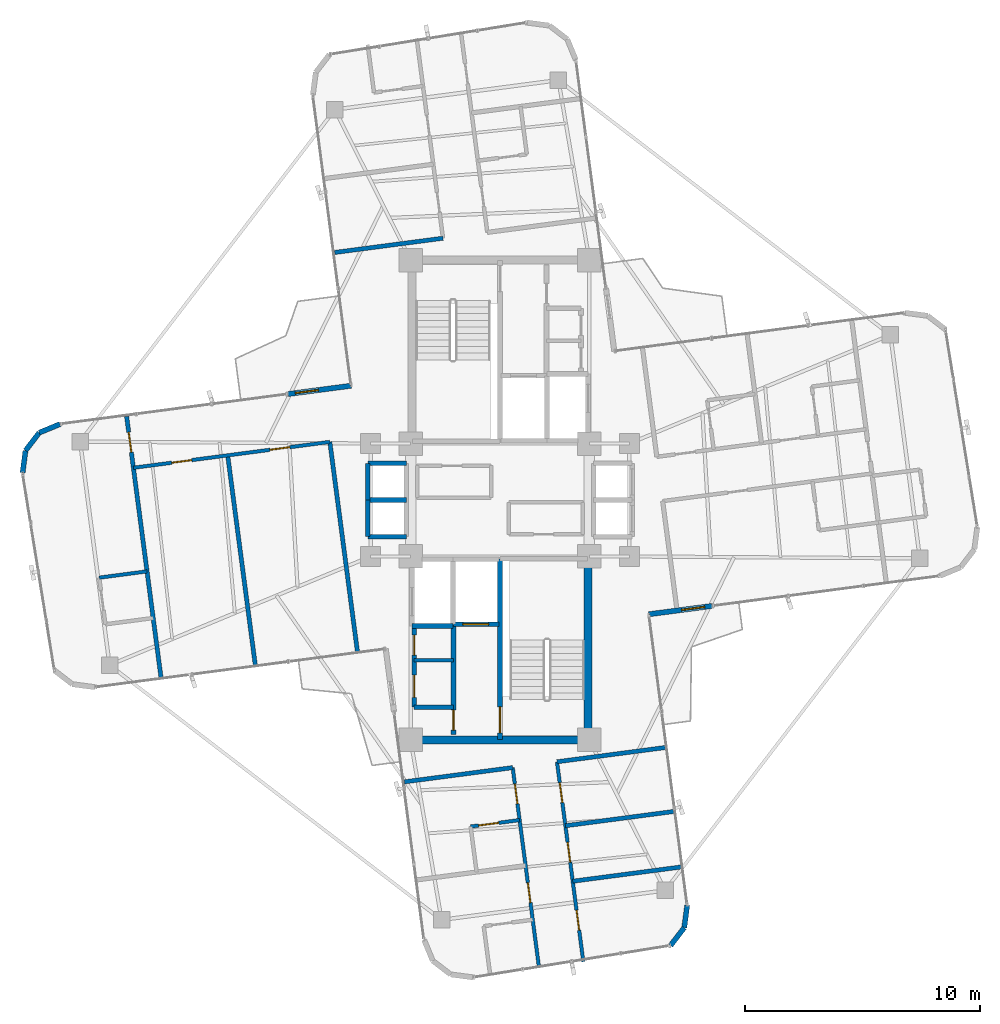
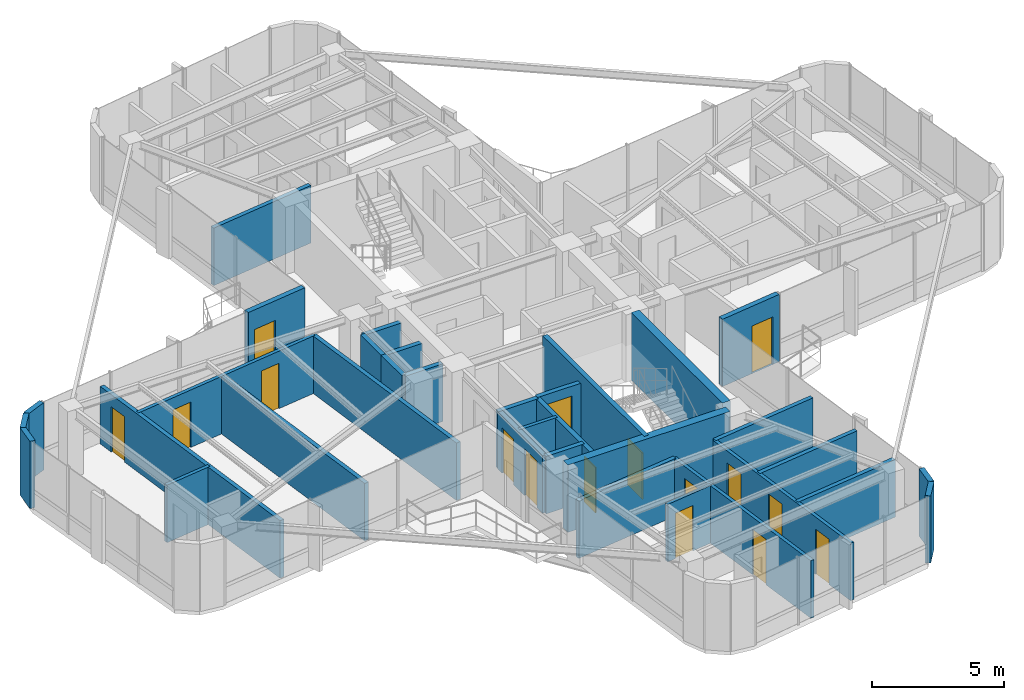
# One storey, part 18 of 22: 34 walls, 16 doors, 16 openings.
"""IFC4 building model written with IfcOpenShell, lengths in metres."""

import ifcopenshell
import ifcopenshell.guid

model = None  # the IFC model being written
_history = None  # IfcOwnerHistory: only IFC2X3 demands one
_inside = {}  # id of a spatial element -> (the spatial element, [elements in it])
_under = {}  # id of a project, library or spatial element -> (it, [spatial elements below it])
_declared = {}  # id of a project -> (the project, [libraries it declares])
_typed = {}  # id of a type object -> (the type object, [elements of that type])
_made_of = {}  # id of a material, layer set ... -> (it, [elements and type objects made of it])


def new_model(schema):
    """Start an empty IFC model of exactly this schema.

    Asked for "IFC4X3", IfcOpenShell would pick the latest addendum, in which some entities
    have other attributes; the version numbers below select the first issue.
    IFC2X3 requires an IfcOwnerHistory on every rooted entity: one is made here for all.
    """
    global model, _history
    if schema == "IFC4X3":
        model = ifcopenshell.file(schema_version=(4, 3, 0, 0))
    else:
        model = ifcopenshell.file(schema=schema)
    _inside.clear()
    _under.clear()
    _declared.clear()
    _typed.clear()
    _made_of.clear()
    _history = None
    if model.schema == "IFC2X3":
        org = make("IfcOrganization", Name="unknown")
        user = make(
            "IfcPersonAndOrganization",
            ThePerson=make("IfcPerson", FamilyName="unknown"),
            TheOrganization=org,
        )
        app = make(
            "IfcApplication",
            ApplicationDeveloper=org,
            Version="unknown",
            ApplicationFullName="unknown",
            ApplicationIdentifier="unknown",
        )
        _history = make(
            "IfcOwnerHistory",
            OwningUser=user,
            OwningApplication=app,
            ChangeAction="ADDED",
            CreationDate=0,
        )
    return model


def make(cls, **values):
    """One entity of the class cls with the attributes given. An attribute that is None is left unset."""
    return model.create_entity(
        cls, **{name: value for name, value in values.items() if value is not None}
    )


def rooted(cls, **values):
    """An entity with a GlobalId (a new one), such as an element, a storey or a relation."""
    return make(cls, GlobalId=ifcopenshell.guid.new(), OwnerHistory=_history, **values)


def si_unit(unit_type, name, prefix=None):
    """IfcSIUnit, for example si_unit("LENGTHUNIT", "METRE", prefix="MILLI")."""
    return make("IfcSIUnit", UnitType=unit_type, Prefix=prefix, Name=name)


def assignment(units):
    """IfcUnitAssignment: the units of a project."""
    return None if units is None else make("IfcUnitAssignment", Units=units)


def point(xyz):
    """IfcCartesianPoint."""
    return None if xyz is None else make("IfcCartesianPoint", Coordinates=xyz)


def direction(xyz):
    """IfcDirection."""
    return None if xyz is None else make("IfcDirection", DirectionRatios=xyz)


def frame(location, z_axis=None, x_axis=None):
    """IfcAxis2Placement3D, a coordinate frame: its origin and axes. An axis left out is left unset."""
    return make(
        "IfcAxis2Placement3D",
        Location=point(location),
        Axis=direction(z_axis),
        RefDirection=direction(x_axis),
    )


def frame_2d(location, x_axis=None):
    """IfcAxis2Placement2D, a coordinate frame in the plane: its origin and x axis."""
    return make(
        "IfcAxis2Placement2D", Location=point(location), RefDirection=direction(x_axis)
    )


def origin():
    """The frame at (0, 0, 0) with its axes left unset."""
    return frame((0.0, 0.0, 0.0))


def origin_2d():
    """The frame at (0, 0) in the plane with its x axis left unset."""
    return frame_2d((0.0, 0.0))


def place(relative_to, where):
    """IfcLocalPlacement: puts the frame where relative to a parent placement (None: the world)."""
    return make(
        "IfcLocalPlacement", PlacementRelTo=relative_to, RelativePlacement=where
    )


def context(
    kind, dimensions, precision=None, world=None, true_north=None, identifier=None
):
    """IfcGeometricRepresentationContext, for example the 3D "Model" context."""
    return make(
        "IfcGeometricRepresentationContext",
        ContextIdentifier=identifier,
        ContextType=kind,
        CoordinateSpaceDimension=dimensions,
        Precision=precision,
        WorldCoordinateSystem=world,
        TrueNorth=true_north,
    )


def subcontext(parent, identifier, kind, view, scale=None):
    """IfcGeometricRepresentationSubContext, for example "Body" below "Model"."""
    return make(
        "IfcGeometricRepresentationSubContext",
        ContextIdentifier=identifier,
        ContextType=kind,
        ParentContext=parent,
        TargetScale=scale,
        TargetView=view,
    )


def project(units=None, contexts=None):
    """IfcProject with its units and contexts."""
    return rooted(
        "IfcProject",
        Name="project",
        RepresentationContexts=contexts,
        UnitsInContext=assignment(units),
    )


def spatial(cls, under=None, at=None, **own):
    """A site, building, storey or space (cls), placed at a placement, below another one or the project."""
    s = rooted(cls, ObjectPlacement=at, **own)
    if under is not None:
        _under.setdefault(under.id(), (under, []))[1].append(s)
    return s


def profile(cls, at=None, kind="AREA", **sizes):
    """A parametric profile (cls). Its sizes go by their IFC names, for example OverallWidth=200.0."""
    return make(cls, ProfileType=kind, Position=at, **sizes)


def rectangle(**sizes):
    """IfcRectangleProfileDef."""
    return profile("IfcRectangleProfileDef", **sizes)


def extrude(swept, where, along, depth):
    """IfcExtrudedAreaSolid: the profile swept, set in the frame where, extruded along a direction by depth."""
    return make(
        "IfcExtrudedAreaSolid",
        SweptArea=swept,
        Position=where,
        ExtrudedDirection=direction(along),
        Depth=depth,
    )


def shape(context_of_items, identifier, shape_type, items):
    """IfcShapeRepresentation: the items that make up one representation, for example the "Body"."""
    return make(
        "IfcShapeRepresentation",
        ContextOfItems=context_of_items,
        RepresentationIdentifier=identifier,
        RepresentationType=shape_type,
        Items=items,
    )


def source(mapping_origin, context_of_items, identifier, shape_type, items):
    """IfcRepresentationMap: a shape defined once, which mapped items show again and again."""
    return make(
        "IfcRepresentationMap",
        MappingOrigin=mapping_origin,
        MappedRepresentation=shape(context_of_items, identifier, shape_type, items),
    )


def transform(
    local_origin,
    x_axis=None,
    y_axis=None,
    z_axis=None,
    scale=None,
    scale2=None,
    scale3=None,
    uniform=True,
):
    """IfcCartesianTransformationOperator3D, or its non-uniform kind. x_axis, y_axis, z_axis: its Axis1, 2, 3."""
    if uniform:
        return make(
            "IfcCartesianTransformationOperator3D",
            Axis1=direction(x_axis),
            Axis2=direction(y_axis),
            LocalOrigin=point(local_origin),
            Scale=scale,
            Axis3=direction(z_axis),
        )
    return make(
        "IfcCartesianTransformationOperator3DnonUniform",
        Axis1=direction(x_axis),
        Axis2=direction(y_axis),
        LocalOrigin=point(local_origin),
        Scale=scale,
        Axis3=direction(z_axis),
        Scale2=scale2,
        Scale3=scale3,
    )


def mapped(mapping_source, mapping_target):
    """IfcMappedItem: shows the shape of a source again, moved by a transform."""
    return make(
        "IfcMappedItem", MappingSource=mapping_source, MappingTarget=mapping_target
    )


def material(Name=None, Category=None):
    """IfcMaterial."""
    return make("IfcMaterial", Name=Name, Category=Category)


def layer(
    of_material, thickness, ventilated=None, Name=None, Category=None, Priority=None
):
    """IfcMaterialLayer: one layer of a wall or slab, of a material (None: an air gap)."""
    return make(
        "IfcMaterialLayer",
        Material=of_material,
        LayerThickness=thickness,
        IsVentilated=ventilated,
        Name=Name,
        Category=Category,
        Priority=Priority,
    )


def layer_set(layers, Name=None):
    """IfcMaterialLayerSet."""
    return make("IfcMaterialLayerSet", MaterialLayers=layers, LayerSetName=Name)


def made_of(thing, what):
    """Note that an element or type object is made of a material, layer set ...; save() writes the relation."""
    if what is not None:
        _made_of.setdefault(what.id(), (what, []))[1].append(thing)
    return thing


def type_object(cls, material=None, **own):
    """A type object (cls), such as IfcWallType, which elements share."""
    return made_of(rooted(cls, **own), material)


def element(
    cls,
    number,
    at=None,
    inside=None,
    cuts=None,
    type_object=None,
    material=None,
    context=None,
    identifier="Body",
    shape_type=None,
    held_by="IfcProductDefinitionShape",
    body=None,
    shapes=None,
    **own,
):
    """One element of the class cls, such as IfcWall. Its Tag is "e" and its number.

    at: its placement. inside: the storey or other place that contains it. cuts: it is an
    opening in that element (IfcRelVoidsElement). A single representation is given by context,
    identifier, shape_type and body (its items); several are given by shapes. held_by: the class
    of the entity that holds the representations. save() writes the other relations.
    """
    e = rooted(cls, Tag="e%d" % number, ObjectPlacement=at, **own)
    if body is not None:
        shapes = [shape(context, identifier, shape_type, body)]
    if shapes is not None:
        e.Representation = make(held_by, Representations=shapes)
    if inside is not None:
        _inside.setdefault(inside.id(), (inside, []))[1].append(e)
    if cuts is not None:
        rooted(
            "IfcRelVoidsElement", RelatingBuildingElement=cuts, RelatedOpeningElement=e
        )
    if type_object is not None:
        _typed.setdefault(type_object.id(), (type_object, []))[1].append(e)
    return made_of(e, material)


def fill(opening, filler):
    """IfcRelFillsElement: the door or window that sits in an opening."""
    return rooted(
        "IfcRelFillsElement",
        RelatingOpeningElement=opening,
        RelatedBuildingElement=filler,
    )


def aggregate(whole, parts):
    """IfcRelAggregates: a whole, such as a stair, and the parts it consists of."""
    return rooted("IfcRelAggregates", RelatingObject=whole, RelatedObjects=parts)


def save(model, path):
    """Write the relations noted so far, then the file.

    IfcRelAggregates (storeys below a building ...), IfcRelContainedInSpatialStructure (elements
    in a storey), IfcRelDefinesByType, IfcRelAssociatesMaterial and IfcRelDeclares: one each for
    every whole, place, type object, material and project.
    """
    for whole, parts in _under.values():
        aggregate(whole, parts)
    for where, things in _inside.values():
        rooted(
            "IfcRelContainedInSpatialStructure",
            RelatedElements=things,
            RelatingStructure=where,
        )
    for kind, things in _typed.values():
        rooted("IfcRelDefinesByType", RelatedObjects=things, RelatingType=kind)
    for what, things in _made_of.values():
        rooted("IfcRelAssociatesMaterial", RelatedObjects=things, RelatingMaterial=what)
    for by, libraries in _declared.values():
        rooted("IfcRelDeclares", RelatingContext=by, RelatedDefinitions=libraries)
    model.write(path)


model = new_model("IFC4")

# Units and contexts
model_context = context("Model", 3, precision=1e-05, world=origin(), true_north=direction((0.0, 1.0)))
body_context = subcontext(model_context, "Body", "Model", "MODEL_VIEW")
ifc_project = project(units=[si_unit("LENGTHUNIT", "METRE"), si_unit("AREAUNIT", "SQUARE_METRE"), si_unit("VOLUMEUNIT", "CUBIC_METRE"), si_unit("PLANEANGLEUNIT", "RADIAN"), si_unit("MASSUNIT", "GRAM", prefix="KILO")], contexts=[model_context])

# Site, building, storey
site_placement = place(None, origin())
site = spatial("IfcSite", under=ifc_project, at=site_placement, CompositionType="ELEMENT")
building_placement = place(site_placement, origin())
building = spatial("IfcBuilding", under=site, at=building_placement, Name="Sahyath Konkavel Grand Hotel", CompositionType="ELEMENT")
storey_placement = place(building_placement, frame((0.0, 0.0, 223.25)))
storey = spatial("IfcBuildingStorey", under=building, at=storey_placement, Name="L62", CompositionType="ELEMENT", Elevation=223.25)

# Walls
ifc_material_1 = material(Name="Concrete C40/50", Category="concrete")
ifc_layer_1 = layer(ifc_material_1, 0.35009765625)
ifc_layer_set_1 = layer_set([ifc_layer_1], Name="Concrete C40/50")
wall_type_1 = type_object("IfcWallType", Name="CWALL-350", PredefinedType="SHEAR", material=ifc_layer_set_1)
wall_1_placement = place(storey_placement, frame((-3.550048828125, -10.199951171875, 0.0), z_axis=(0.0, 0.0, 1.0), x_axis=(1.0, 0.0, 0.0)))
element("IfcWall", 1, at=wall_1_placement, inside=storey, type_object=wall_type_1, Name="L62 South Core Shear Wall S", PredefinedType="SHEAR", context=body_context, shape_type="SweptSolid", body=[
    extrude(rectangle(XDim=7.10009765625, YDim=0.35009765625, at=frame_2d((3.550048828125, 0.0))), origin(), (0.0, 0.0, 1.0), 3.110107421875),
])
wall_2_placement = place(storey_placement, frame((3.739990234375, -9.75, 0.0), z_axis=(0.0, 0.0, 1.0), x_axis=(0.0, 1.0, 0.0)))
element("IfcWall", 2, at=wall_2_placement, inside=storey, type_object=wall_type_1, Name="L62 South Core Shear Wall E", PredefinedType="SHEAR", context=body_context, shape_type="SweptSolid", body=[
    extrude(rectangle(XDim=6.89990234375, YDim=0.35009765625, at=frame_2d((3.449951171875, 0.0))), origin(), (0.0, 0.0, 1.0), 3.110107421875),
])

# Wall, opening, door
ifc_material_2 = material(Name="Warm Buff Sandstone Insulated Concrete C40/50", Category="masonry")
ifc_layer_2 = layer(ifc_material_2, 0.219970703125)
ifc_layer_set_2 = layer_set([ifc_layer_2], Name="Warm Buff Sandstone Insulated Concrete C40/50")
wall_type_2 = type_object("IfcWallType", Name="WLL-BALC-THRESH", PredefinedType="STANDARD", material=ifc_layer_set_2)
wall_3_placement = place(storey_placement, frame((6.330078125, -4.857421875, 0.0), z_axis=(0.0, 0.0, 1.0), x_axis=(0.991439824936, 0.130564442062, 0.0)))
wall_3 = element("IfcWall", 3, at=wall_3_placement, inside=storey, type_object=wall_type_2, Name="L62 Winter-Garden Threshold Wall 0", PredefinedType="STANDARD", context=body_context, shape_type="SweptSolid", body=[
    extrude(rectangle(XDim=2.7001953125, YDim=0.219970703125, at=frame_2d((1.35009765625, 0.0))), origin(), (0.0, 0.0, 1.0), 3.110107421875),
])
opening_1_placement = place(wall_3_placement, frame((1.39990234375, 0.0, 0.0)))
opening_1 = element("IfcOpeningElement", 4, at=opening_1_placement, cuts=wall_3, Name="Opening D-TR1", PredefinedType="OPENING", context=body_context, shape_type="SweptSolid", body=[
    extrude(rectangle(XDim=1.0, YDim=2.199951171875, at=frame_2d((0.5, 1.10009765625))), frame((0.0, 0.1201171875, 0.0), z_axis=(0.0, -1.0, 0.0), x_axis=(1.0, 0.0, 0.0)), (0.0, 0.0, 1.0), 0.239990234375),
])
ifc_material_3 = material(Name="Anodised Bronze Aluminium & Low-E Glazing", Category="aluminium")
door_type_1 = type_object("IfcDoorType", Name="DR-TERRACE-1000", OperationType="NOTDEFINED", PredefinedType="DOOR", material=ifc_material_3)
shared_shape_1 = source(origin(), body_context, "Body", "SweptSolid", [
    extrude(rectangle(XDim=1.0, YDim=0.050048828125, at=origin_2d()), origin(), (0.0, 0.0, 1.0), 2.199951171875),
])
door_1_placement = place(opening_1_placement, frame((0.5, 0.0, 0.0)))
door_1 = element("IfcDoor", 5, at=door_1_placement, inside=storey, type_object=door_type_1, Name="L62 Winter-Garden Terrace Door 0", OperationType="SINGLE_SWING_LEFT", OverallHeight=2.199951171875, OverallWidth=1.0, PredefinedType="DOOR", context=body_context, shape_type="MappedRepresentation", body=[
    mapped(shared_shape_1, transform((0.0, 0.0, 0.0), scale=1.0)),
])
fill(opening_1, door_1)

wall_4_placement = place(storey_placement, frame((-6.330078125, 4.857421875, 0.0), z_axis=(0.0, 0.0, 1.0), x_axis=(-0.991439824936, -0.130564442062, 0.0)))
wall_4 = element("IfcWall", 6, at=wall_4_placement, inside=storey, type_object=wall_type_2, Name="L62 Winter-Garden Threshold Wall 16", PredefinedType="STANDARD", context=body_context, shape_type="SweptSolid", body=[
    extrude(rectangle(XDim=2.7001953125, YDim=0.219970703125, at=frame_2d((1.35009765625, 0.0))), origin(), (0.0, 0.0, 1.0), 3.110107421875),
])
opening_2_placement = place(wall_4_placement, frame((1.39990234375, 0.0, 0.0)))
opening_2 = element("IfcOpeningElement", 7, at=opening_2_placement, cuts=wall_4, Name="Opening D-TR1", PredefinedType="OPENING", context=body_context, shape_type="SweptSolid", body=[
    extrude(rectangle(XDim=1.0, YDim=2.199951171875, at=frame_2d((0.5, 1.10009765625))), frame((0.0, 0.1201171875, 0.0), z_axis=(0.0, -1.0, 0.0), x_axis=(1.0, 0.0, 0.0)), (0.0, 0.0, 1.0), 0.239990234375),
])
door_2_placement = place(opening_2_placement, frame((0.5, 0.0, 0.0)))
door_2 = element("IfcDoor", 8, at=door_2_placement, inside=storey, type_object=door_type_1, Name="L62 Winter-Garden Terrace Door 16", OperationType="SINGLE_SWING_LEFT", OverallHeight=2.199951171875, OverallWidth=1.0, PredefinedType="DOOR", context=body_context, shape_type="MappedRepresentation", body=[
    mapped(shared_shape_1, transform((0.0, 0.0, 0.0), scale=1.0)),
])
fill(opening_2, door_2)

# Walls
for number, where, z_axis, x_axis, name in (
    (9, (-18.704345703125, 3.228271484375, 0.0), (0.0, 0.0, 1.0), (-0.923889442397, -0.382659506909, 0.0), "L62 Rounded Corner Sandstone Pier 17"),
    (10, (-19.589111328125, 2.86181640625, 0.0), (0.0, 0.0, 1.0), (-0.608774010809, -0.793343685778, 0.0), "L62 Rounded Corner Sandstone Pier 18"),
    (11, (-20.172119140625, 2.10205078125, 0.0), (0.0, 0.0, 1.0), (-0.130527053476, -0.991444747987, 0.0), "L62 Rounded Corner Sandstone Pier 19"),
    (12, (7.251220703125, -18.940673828125, 0.0), (0.0, 0.0, 1.0), (0.608774010809, 0.793343685778, 0.0), "L62 Rounded Corner Sandstone Pier 29"),
    (13, (7.834228515625, -18.180908203125, 0.0), (0.0, 0.0, 1.0), (0.130527053476, 0.991444747987, 0.0), "L62 Rounded Corner Sandstone Pier 30"),
):
    element("IfcWall", number, at=place(storey_placement, frame(where, z_axis=z_axis, x_axis=x_axis)), inside=storey, type_object=wall_type_2, Name=name, PredefinedType="STANDARD", context=body_context, shape_type="SweptSolid", body=[
        extrude(rectangle(XDim=0.957763671875, YDim=0.219970703125, at=frame_2d((0.47900390625, 0.0))), origin(), (0.0, 0.0, 1.0), 3.110107421875),
    ])

# Wall, opening, door
ifc_layer_3 = layer(ifc_material_1, 0.199951171875)
ifc_layer_set_3 = layer_set([ifc_layer_3], Name="Concrete C40/50")
wall_type_3 = type_object("IfcWallType", Name="WLL-CORE-200", PredefinedType="SOLIDWALL", material=ifc_layer_set_3)
wall_5_placement = place(storey_placement, frame((0.0, -10.179931640625, 0.0), z_axis=(0.0, 0.0, 1.0), x_axis=(0.0, 1.0, 0.0)))
wall_5 = element("IfcWall", 14, at=wall_5_placement, inside=storey, type_object=wall_type_3, Name="L62 Stair ST-2 Shaft Wall W", PredefinedType="SOLIDWALL", context=body_context, shape_type="SweptSolid", body=[
    extrude(rectangle(XDim=7.679931640625, YDim=0.199951171875, at=frame_2d((3.83984375, 0.0))), origin(), (0.0, 0.0, 1.0), 3.110107421875),
])
opening_3_placement = place(wall_5_placement, frame((0.280029296875, 0.0, 0.0)))
opening_3 = element("IfcOpeningElement", 15, at=opening_3_placement, cuts=wall_5, Name="Opening D-F12B", PredefinedType="OPENING", context=body_context, shape_type="SweptSolid", body=[
    extrude(rectangle(XDim=1.10009765625, YDim=2.14990234375, at=frame_2d((0.550048828125, 1.074951171875))), frame((0.0, 0.10986328125, 0.0), z_axis=(0.0, -1.0, 0.0), x_axis=(1.0, 0.0, 0.0)), (0.0, 0.0, 1.0), 0.219970703125),
])
ifc_material_4 = material(Name="Steel E350 Smokeproof Fire Door", Category="steel")
door_type_2 = type_object("IfcDoorType", Name="DR-FD120-1100", OperationType="NOTDEFINED", PredefinedType="DOOR", material=ifc_material_4)
shared_shape_2 = source(origin(), body_context, "Body", "SweptSolid", [
    extrude(rectangle(XDim=1.10009765625, YDim=0.050048828125, at=origin_2d()), origin(), (0.0, 0.0, 1.0), 2.14990234375),
])
door_3_placement = place(opening_3_placement, frame((0.550048828125, 0.0, 0.0)))
door_3 = element("IfcDoor", 16, at=door_3_placement, inside=storey, type_object=door_type_2, Name="L62 Stair ST-2 Fire Door", OperationType="SINGLE_SWING_LEFT", OverallHeight=2.14990234375, OverallWidth=1.10009765625, PredefinedType="DOOR", context=body_context, shape_type="MappedRepresentation", body=[
    mapped(shared_shape_2, transform((0.0, 0.0, 0.0), scale=1.0)),
])
fill(opening_3, door_3)

wall_6_placement = place(storey_placement, frame((-1.97998046875, -9.97998046875, 0.0), z_axis=(0.0, 0.0, 1.0), x_axis=(0.0, 1.0, 0.0)))
wall_6 = element("IfcWall", 17, at=wall_6_placement, inside=storey, type_object=wall_type_3, Name="L62 South Firefighting Lobby Wall W", PredefinedType="SOLIDWALL", context=body_context, shape_type="SweptSolid", body=[
    extrude(rectangle(XDim=4.659912109375, YDim=0.199951171875, at=frame_2d((2.330078125, 0.0))), origin(), (0.0, 0.0, 1.0), 2.659912109375),
])
opening_4_placement = place(wall_6_placement, frame((0.199951171875, 0.0, 0.0)))
opening_4 = element("IfcOpeningElement", 18, at=opening_4_placement, cuts=wall_6, Name="Opening D-F12D", PredefinedType="OPENING", context=body_context, shape_type="SweptSolid", body=[
    extrude(rectangle(XDim=0.85009765625, YDim=2.10009765625, at=frame_2d((0.425048828125, 1.050048828125))), frame((0.0, 0.10986328125, 0.0), z_axis=(0.0, -1.0, 0.0), x_axis=(1.0, 0.0, 0.0)), (0.0, 0.0, 1.0), 0.219970703125),
])
ifc_material_5 = material(Name="Steel E350 Core Fire Door", Category="steel")
door_type_3 = type_object("IfcDoorType", Name="DR-FD120-850", OperationType="NOTDEFINED", PredefinedType="DOOR", material=ifc_material_5)
shared_shape_3 = source(origin(), body_context, "Body", "SweptSolid", [
    extrude(rectangle(XDim=0.85009765625, YDim=0.050048828125, at=origin_2d()), origin(), (0.0, 0.0, 1.0), 2.10009765625),
])
door_4_placement = place(opening_4_placement, frame((0.425048828125, 0.0, 0.0)))
door_4 = element("IfcDoor", 19, at=door_4_placement, inside=storey, type_object=door_type_3, Name="L62 South Firefighting Lobby Door", OperationType="SINGLE_SWING_LEFT", OverallHeight=2.10009765625, OverallWidth=0.85009765625, PredefinedType="DOOR", context=body_context, shape_type="MappedRepresentation", body=[
    mapped(shared_shape_3, transform((0.0, 0.0, 0.0), scale=1.0)),
])
fill(opening_4, door_4)

wall_7_placement = place(storey_placement, frame((-1.97998046875, -5.280029296875, 0.0), z_axis=(0.0, 0.0, 1.0), x_axis=(1.0, 0.0, 0.0)))
wall_7 = element("IfcWall", 20, at=wall_7_placement, inside=storey, type_object=wall_type_3, Name="L62 Partition SH-FFL2-S", PredefinedType="SOLIDWALL", context=body_context, shape_type="SweptSolid", body=[
    extrude(rectangle(XDim=1.929931640625, YDim=0.199951171875, at=frame_2d((0.96484375, 0.0))), origin(), (0.0, 0.0, 1.0), 2.659912109375),
])
opening_5_placement = place(wall_7_placement, frame((0.39990234375, 0.0, 0.0)))
opening_5 = element("IfcOpeningElement", 21, at=opening_5_placement, cuts=wall_7, Name="Opening LD-11", PredefinedType="OPENING", context=body_context, shape_type="SweptSolid", body=[
    extrude(rectangle(XDim=1.10009765625, YDim=2.199951171875, at=frame_2d((0.550048828125, 1.10009765625))), frame((0.0, 0.10986328125, 0.0), z_axis=(0.0, -1.0, 0.0), x_axis=(1.0, 0.0, 0.0)), (0.0, 0.0, 1.0), 0.219970703125),
])
ifc_material_6 = material(Name="Bronze Lift Landing Door 1100")
door_type_4 = type_object("IfcDoorType", Name="DR-LIFT-1100", OperationType="DOUBLE_DOOR_SLIDING", PredefinedType="DOOR", material=ifc_material_6)
shared_shape_4 = source(origin(), body_context, "Body", "SweptSolid", [
    extrude(rectangle(XDim=1.10009765625, YDim=0.050048828125, at=origin_2d()), origin(), (0.0, 0.0, 1.0), 2.199951171875),
])
door_5_placement = place(opening_5_placement, frame((0.550048828125, 0.0, 0.0)))
door_5 = element("IfcDoor", 22, at=door_5_placement, inside=storey, type_object=door_type_4, Name="L62 Lift FFL-2 Landing Door", OperationType="DOUBLE_DOOR_SLIDING", OverallHeight=2.199951171875, OverallWidth=1.10009765625, PredefinedType="DOOR", context=body_context, shape_type="MappedRepresentation", body=[
    mapped(shared_shape_4, transform((0.0, 0.0, 0.0), scale=1.0)),
])
fill(opening_5, door_5)

# Walls
wall_8_placement = place(storey_placement, frame((-3.739990234375, -5.360107421875, 0.0), z_axis=(0.0, 0.0, 1.0), x_axis=(1.0, 0.0, 0.0)))
element("IfcWall", 23, at=wall_8_placement, inside=storey, type_object=wall_type_3, Name="L62 Partition SH-SVL2-S", PredefinedType="SOLIDWALL", context=body_context, shape_type="SweptSolid", body=[
    extrude(rectangle(XDim=1.739990234375, YDim=0.199951171875, at=frame_2d((0.8701171875, 0.0))), origin(), (0.0, 0.0, 1.0), 2.659912109375),
])
for number, where, z_axis, x_axis, name in (
    (24, (-5.6201171875, 1.56005859375, 0.0), (0.0, 0.0, 1.0), (1.0, 0.0, 0.0), "L62 Partition SH-SL12-N"),
    (25, (-5.6201171875, -1.56005859375, 0.0), (0.0, 0.0, 1.0), (1.0, 0.0, 0.0), "L62 Partition SH-SL12-S"),
    (26, (-5.6201171875, 0.0, 0.0), (0.0, 0.0, 1.0), (1.0, 0.0, 0.0), "L62 Partition SH-SL12-M"),
):
    element("IfcWall", number, at=place(storey_placement, frame(where, z_axis=z_axis, x_axis=x_axis)), inside=storey, type_object=wall_type_3, Name=name, PredefinedType="SOLIDWALL", context=body_context, shape_type="SweptSolid", body=[
        extrude(rectangle(XDim=1.64013671875, YDim=0.199951171875, at=frame_2d((0.820068359375, 0.0))), origin(), (0.0, 0.0, 1.0), 2.659912109375),
    ])
for number, where, z_axis, x_axis, name in (
    (27, (-5.6201171875, 0.0, 0.0), (0.0, 0.0, 1.0), (0.0, 1.0, 0.0), "L62 Partition SH-SL1-W"),
    (28, (-5.6201171875, -1.56005859375, 0.0), (0.0, 0.0, 1.0), (0.0, 1.0, 0.0), "L62 Partition SH-SL2-W"),
):
    element("IfcWall", number, at=place(storey_placement, frame(where, z_axis=z_axis, x_axis=x_axis)), inside=storey, type_object=wall_type_3, Name=name, PredefinedType="SOLIDWALL", context=body_context, shape_type="SweptSolid", body=[
        extrude(rectangle(XDim=1.56005859375, YDim=0.199951171875, at=frame_2d((0.780029296875, 0.0))), origin(), (0.0, 0.0, 1.0), 2.659912109375),
    ])

# Wall, openings, doors
wall_9_placement = place(storey_placement, frame((-3.64990234375, -8.81005859375, 0.0), z_axis=(0.0, 0.0, 1.0), x_axis=(0.0, 1.0, 0.0)))
wall_9 = element("IfcWall", 29, at=wall_9_placement, inside=storey, type_object=wall_type_3, Name="L62 Reclaimed South Core Wall W", PredefinedType="SOLIDWALL", context=body_context, shape_type="SweptSolid", body=[
    extrude(rectangle(XDim=3.43017578125, YDim=0.199951171875, at=frame_2d((1.715087890625, 0.0))), origin(), (0.0, 0.0, 1.0), 2.659912109375),
])
opening_6_placement = place(wall_9_placement, frame((0.419921875, 0.0, 0.0)))
opening_6 = element("IfcOpeningElement", 30, at=opening_6_placement, cuts=wall_9, Name="Opening D-AC95", PredefinedType="OPENING", context=body_context, shape_type="SweptSolid", body=[
    extrude(rectangle(XDim=0.949951171875, YDim=2.14990234375, at=frame_2d((0.47509765625, 1.074951171875))), frame((0.0, 0.10986328125, 0.0), z_axis=(0.0, -1.0, 0.0), x_axis=(1.0, 0.0, 0.0)), (0.0, 0.0, 1.0), 0.219970703125),
])
opening_7_placement = place(wall_9_placement, frame((2.219970703125, 0.0, 0.0)))
opening_7 = element("IfcOpeningElement", 31, at=opening_7_placement, cuts=wall_9, Name="Opening D-F06D", PredefinedType="OPENING", context=body_context, shape_type="SweptSolid", body=[
    extrude(rectangle(XDim=0.85009765625, YDim=2.10009765625, at=frame_2d((0.425048828125, 1.050048828125))), frame((0.0, 0.10986328125, 0.0), z_axis=(0.0, -1.0, 0.0), x_axis=(1.0, 0.0, 0.0)), (0.0, 0.0, 1.0), 0.219970703125),
])
ifc_material_7 = material(Name="Accessible Washroom Timber Door", Category="wood")
door_type_5 = type_object("IfcDoorType", Name="DR-ACC-950", OperationType="NOTDEFINED", PredefinedType="DOOR", material=ifc_material_7)
shared_shape_5 = source(origin(), body_context, "Body", "SweptSolid", [
    extrude(rectangle(XDim=0.949951171875, YDim=0.050048828125, at=origin_2d()), origin(), (0.0, 0.0, 1.0), 2.14990234375),
])
door_6_placement = place(opening_6_placement, frame((0.47509765625, 0.0, 0.0)))
door_6 = element("IfcDoor", 32, at=door_6_placement, inside=storey, type_object=door_type_5, Name="L62 Door SC-REC1-D", OperationType="SINGLE_SWING_RIGHT", OverallHeight=2.14990234375, OverallWidth=0.949951171875, PredefinedType="DOOR", context=body_context, shape_type="MappedRepresentation", body=[
    mapped(shared_shape_5, transform((0.0, 0.0, 0.0), scale=1.0)),
])
fill(opening_6, door_6)
ifc_material_8 = material(Name="Fire-Rated Shaft Access Door")
door_type_6 = type_object("IfcDoorType", Name="DR-FD60-850", OperationType="NOTDEFINED", PredefinedType="DOOR", material=ifc_material_8)
door_7_placement = place(opening_7_placement, frame((0.425048828125, 0.0, 0.0)))
door_7 = element("IfcDoor", 33, at=door_7_placement, inside=storey, type_object=door_type_6, Name="L62 Door SC-REC2-D", OperationType="SINGLE_SWING_LEFT", OverallHeight=2.10009765625, OverallWidth=0.85009765625, PredefinedType="DOOR", context=body_context, shape_type="MappedRepresentation", body=[
    mapped(shared_shape_3, transform((0.0, 0.0, 0.0), scale=1.0)),
])
fill(opening_7, door_7)

# Walls
wall_10_placement = place(storey_placement, frame((-3.64990234375, -8.81005859375, 0.0), z_axis=(0.0, 0.0, 1.0), x_axis=(1.0, 0.0, 0.0)))
element("IfcWall", 34, at=wall_10_placement, inside=storey, type_object=wall_type_3, Name="L62 Partition SC-REC-S", PredefinedType="SOLIDWALL", context=body_context, shape_type="SweptSolid", body=[
    extrude(rectangle(XDim=1.669921875, YDim=0.199951171875, at=frame_2d((0.8349609375, 0.0))), origin(), (0.0, 0.0, 1.0), 2.659912109375),
])
ifc_material_9 = material(Name="Twin-Stud Acoustic Gypsum Plasterboard Partition")
ifc_layer_4 = layer(ifc_material_9, 0.179931640625)
ifc_layer_set_4 = layer_set([ifc_layer_4], Name="Twin-Stud Acoustic Gypsum Plasterboard Partition")
wall_type_4 = type_object("IfcWallType", Name="WLL-DEMISE-180", PredefinedType="PARTITIONING", material=ifc_layer_set_4)
wall_11_placement = place(storey_placement, frame((-2.42333984375, 11.12890625, 0.0), z_axis=(0.0, 0.0, 1.0), x_axis=(-0.991443372348, -0.130537501998, 0.0)))
element("IfcWall", 35, at=wall_11_placement, inside=storey, type_object=wall_type_4, Name="L62 Partition N-INL", PredefinedType="PARTITIONING", context=body_context, shape_type="SweptSolid", body=[
    extrude(rectangle(XDim=4.64208984375, YDim=0.179931640625, at=frame_2d((2.321044921875, 0.0))), origin(), (0.0, 0.0, 1.0), 2.659912109375),
])
for number, where, z_axis, x_axis, name in (
    (36, (-7.234130859375, 2.468994140625, 0.0), (0.0, 0.0, 1.0), (0.130520590161, -0.991445598883, 0.0), "L62 Partition W-G6I"),
    (37, (-11.57666015625, 1.897216796875, 0.0), (0.0, 0.0, 1.0), (0.130520590161, -0.991445598883, 0.0), "L62 Partition W-WSL6-DEM"),
):
    element("IfcWall", number, at=place(storey_placement, frame(where, z_axis=z_axis, x_axis=x_axis)), inside=storey, type_object=wall_type_4, Name=name, PredefinedType="PARTITIONING", context=body_context, shape_type="SweptSolid", body=[
        extrude(rectangle(XDim=8.984130859375, YDim=0.179931640625, at=frame_2d((4.4921875, 0.0))), origin(), (0.0, 0.0, 1.0), 2.659912109375),
    ])

# Wall, opening, door
wall_12_placement = place(storey_placement, frame((-15.872314453125, 3.550537109375, 0.0), z_axis=(0.0, 0.0, 1.0), x_axis=(0.130542039197, -0.991442774951, 0.0)))
wall_12 = element("IfcWall", 38, at=wall_12_placement, inside=storey, type_object=wall_type_4, Name="L62 Partition W-WTIP-END", PredefinedType="PARTITIONING", context=body_context, shape_type="SweptSolid", body=[
    extrude(rectangle(XDim=11.183837890625, YDim=0.179931640625, at=frame_2d((5.591796875, 0.0))), origin(), (0.0, 0.0, 1.0), 2.659912109375),
])
opening_8_placement = place(wall_12_placement, frame((0.675048828125, 0.0, 0.0)))
opening_8 = element("IfcOpeningElement", 39, at=opening_8_placement, cuts=wall_12, Name="Opening D-F06D", PredefinedType="OPENING", context=body_context, shape_type="SweptSolid", body=[
    extrude(rectangle(XDim=0.85009765625, YDim=2.10009765625, at=frame_2d((0.425048828125, 1.050048828125))), frame((0.0, 0.10009765625, 0.0), z_axis=(0.0, -1.0, 0.0), x_axis=(1.0, 0.0, 0.0)), (0.0, 0.0, 1.0), 0.199951171875),
])
door_8_placement = place(opening_8_placement, frame((0.425048828125, 0.0, 0.0)))
door_8 = element("IfcDoor", 40, at=door_8_placement, inside=storey, type_object=door_type_6, Name="L62 Door W-WTIP-ED", OperationType="SINGLE_SWING_LEFT", OverallHeight=2.10009765625, OverallWidth=0.85009765625, PredefinedType="DOOR", context=body_context, shape_type="MappedRepresentation", body=[
    mapped(shared_shape_3, transform((0.0, 0.0, 0.0), scale=1.0)),
])
fill(opening_8, door_8)

# Walls
for number, where, z_axis, x_axis, name in (
    (41, (2.42333984375, -11.12890625, 0.0), (0.0, 0.0, 1.0), (0.991443372348, 0.130537501998, 0.0), "L62 Partition S-INL"),
    (42, (-4.062744140625, -11.98291015625, 0.0), (0.0, 0.0, 1.0), (0.991443372348, 0.130537501998, 0.0), "L62 Partition S-INR"),
    (43, (2.781494140625, -13.848388671875, 0.0), (0.0, 0.0, 1.0), (0.991443372348, 0.130537501998, 0.0), "L62 Partition S-S1L-DEM"),
    (44, (3.092041015625, -16.2080078125, 0.0), (0.0, 0.0, 1.0), (0.991450177748, 0.130485803989, 0.0), "L62 Partition S-S2L-DEM"),
):
    element("IfcWall", number, at=place(storey_placement, frame(where, z_axis=z_axis, x_axis=x_axis)), inside=storey, type_object=wall_type_4, Name=name, PredefinedType="PARTITIONING", context=body_context, shape_type="SweptSolid", body=[
        extrude(rectangle(XDim=4.64208984375, YDim=0.179931640625, at=frame_2d((2.321044921875, 0.0))), origin(), (0.0, 0.0, 1.0), 2.659912109375),
    ])
ifc_material_10 = material(Name="Fire-Rated Gypsum Plasterboard Partition")
ifc_layer_5 = layer(ifc_material_10, 0.14990234375)
ifc_layer_set_5 = layer_set([ifc_layer_5], Name="Fire-Rated Gypsum Plasterboard Partition")
wall_type_5 = type_object("IfcWallType", Name="WLL-PART-150", PredefinedType="PARTITIONING", material=ifc_layer_set_5)
wall_13_placement = place(storey_placement, frame((-3.64990234375, -6.81005859375, 0.0), z_axis=(0.0, 0.0, 1.0), x_axis=(1.0, 0.0, 0.0)))
element("IfcWall", 45, at=wall_13_placement, inside=storey, type_object=wall_type_5, Name="L62 Partition SC-REC-M1", PredefinedType="PARTITIONING", context=body_context, shape_type="SweptSolid", body=[
    extrude(rectangle(XDim=1.669921875, YDim=0.14990234375, at=frame_2d((0.8349609375, 0.0))), origin(), (0.0, 0.0, 1.0), 2.659912109375),
])

# Wall, openings, doors
wall_14_placement = place(storey_placement, frame((-7.234130859375, 2.468994140625, 0.0), z_axis=(0.0, 0.0, 1.0), x_axis=(-0.991442255573, -0.130545983719, 0.0)))
wall_14 = element("IfcWall", 46, at=wall_14_placement, inside=storey, type_object=wall_type_5, Name="L62 Partition W-G6W", PredefinedType="PARTITIONING", context=body_context, shape_type="SweptSolid", body=[
    extrude(rectangle(XDim=8.423095703125, YDim=0.14990234375, at=frame_2d((4.21142578125, 0.0))), origin(), (0.0, 0.0, 1.0), 2.659912109375),
])
opening_9_placement = place(wall_14_placement, frame((1.715087890625, 0.0, 0.0)))
opening_9 = element("IfcOpeningElement", 47, at=opening_9_placement, cuts=wall_14, Name="Opening D-F06D", PredefinedType="OPENING", context=body_context, shape_type="SweptSolid", body=[
    extrude(rectangle(XDim=0.85009765625, YDim=2.10009765625, at=frame_2d((0.425048828125, 1.050048828125))), frame((0.0, 0.0849609375, 0.0), z_axis=(0.0, -1.0, 0.0), x_axis=(1.0, 0.0, 0.0)), (0.0, 0.0, 1.0), 0.169921875),
])
opening_10_placement = place(wall_14_placement, frame((5.927001953125, 0.0, 0.0)))
opening_10 = element("IfcOpeningElement", 48, at=opening_10_placement, cuts=wall_14, Name="Opening D-F06D", PredefinedType="OPENING", context=body_context, shape_type="SweptSolid", body=[
    extrude(rectangle(XDim=0.85009765625, YDim=2.10009765625, at=frame_2d((0.425048828125, 1.050048828125))), frame((0.0, 0.0849609375, 0.0), z_axis=(0.0, -1.0, 0.0), x_axis=(1.0, 0.0, 0.0)), (0.0, 0.0, 1.0), 0.169921875),
])
door_9_placement = place(opening_9_placement, frame((0.425048828125, 0.0, 0.0)))
door_9 = element("IfcDoor", 49, at=door_9_placement, inside=storey, type_object=door_type_6, Name="L62 Door W-WSL6-D", OperationType="SINGLE_SWING_RIGHT", OverallHeight=2.10009765625, OverallWidth=0.85009765625, PredefinedType="DOOR", context=body_context, shape_type="MappedRepresentation", body=[
    mapped(shared_shape_3, transform((0.0, 0.0, 0.0), scale=1.0)),
])
fill(opening_9, door_9)
door_10_placement = place(opening_10_placement, frame((0.425048828125, 0.0, 0.0)))
door_10 = element("IfcDoor", 50, at=door_10_placement, inside=storey, type_object=door_type_6, Name="L62 Door W-WD6-D", OperationType="SINGLE_SWING_LEFT", OverallHeight=2.10009765625, OverallWidth=0.85009765625, PredefinedType="DOOR", context=body_context, shape_type="MappedRepresentation", body=[
    mapped(shared_shape_3, transform((0.0, 0.0, 0.0), scale=1.0)),
])
fill(opening_10, door_10)

# Wall
wall_15_placement = place(storey_placement, frame((-15.00537109375, -3.034423828125, 0.0), z_axis=(0.0, 0.0, 1.0), x_axis=(-0.991442940586, -0.130540781221, 0.0)))
element("IfcWall", 51, at=wall_15_placement, inside=storey, type_object=wall_type_5, Name="L62 Partition W-WTIP-BS", PredefinedType="PARTITIONING", context=body_context, shape_type="SweptSolid", body=[
    extrude(rectangle(XDim=2.0498046875, YDim=0.14990234375, at=frame_2d((1.02490234375, 0.0))), origin(), (0.0, 0.0, 1.0), 2.659912109375),
])

# Wall, openings, doors
wall_16_placement = place(storey_placement, frame((2.42333984375, -11.12890625, 0.0), z_axis=(0.0, 0.0, 1.0), x_axis=(0.130512708173, -0.991446636489, 0.0)))
wall_16 = element("IfcWall", 52, at=wall_16_placement, inside=storey, type_object=wall_type_5, Name="L62 Partition S-CL", PredefinedType="PARTITIONING", context=body_context, shape_type="SweptSolid", body=[
    extrude(rectangle(XDim=8.572998046875, YDim=0.14990234375, at=frame_2d((4.28662109375, 0.0))), origin(), (0.0, 0.0, 1.0), 2.659912109375),
])
opening_11_placement = place(wall_16_placement, frame((0.89599609375, 0.0, 0.0)))
opening_11 = element("IfcOpeningElement", 53, at=opening_11_placement, cuts=wall_16, Name="Opening D-F06D", PredefinedType="OPENING", context=body_context, shape_type="SweptSolid", body=[
    extrude(rectangle(XDim=0.85009765625, YDim=2.10009765625, at=frame_2d((0.425048828125, 1.050048828125))), frame((0.0, 0.0849609375, 0.0), z_axis=(0.0, -1.0, 0.0), x_axis=(1.0, 0.0, 0.0)), (0.0, 0.0, 1.0), 0.169921875),
])
opening_12_placement = place(wall_16_placement, frame((3.4580078125, 0.0, 0.0)))
opening_12 = element("IfcOpeningElement", 54, at=opening_12_placement, cuts=wall_16, Name="Opening D-F06D", PredefinedType="OPENING", context=body_context, shape_type="SweptSolid", body=[
    extrude(rectangle(XDim=0.85009765625, YDim=2.10009765625, at=frame_2d((0.425048828125, 1.050048828125))), frame((0.0, 0.0849609375, 0.0), z_axis=(0.0, -1.0, 0.0), x_axis=(1.0, 0.0, 0.0)), (0.0, 0.0, 1.0), 0.169921875),
])
opening_13_placement = place(wall_16_placement, frame((6.373046875, 0.0, 0.0)))
opening_13 = element("IfcOpeningElement", 55, at=opening_13_placement, cuts=wall_16, Name="Opening D-F06D", PredefinedType="OPENING", context=body_context, shape_type="SweptSolid", body=[
    extrude(rectangle(XDim=0.85009765625, YDim=2.10009765625, at=frame_2d((0.425048828125, 1.050048828125))), frame((0.0, 0.0849609375, 0.0), z_axis=(0.0, -1.0, 0.0), x_axis=(1.0, 0.0, 0.0)), (0.0, 0.0, 1.0), 0.169921875),
])
door_11_placement = place(opening_11_placement, frame((0.425048828125, 0.0, 0.0)))
door_11 = element("IfcDoor", 56, at=door_11_placement, inside=storey, type_object=door_type_6, Name="L62 Door S-S1L-D", OperationType="SINGLE_SWING_RIGHT", OverallHeight=2.10009765625, OverallWidth=0.85009765625, PredefinedType="DOOR", context=body_context, shape_type="MappedRepresentation", body=[
    mapped(shared_shape_3, transform((0.0, 0.0, 0.0), scale=1.0)),
])
fill(opening_11, door_11)
door_12_placement = place(opening_12_placement, frame((0.425048828125, 0.0, 0.0)))
door_12 = element("IfcDoor", 57, at=door_12_placement, inside=storey, type_object=door_type_6, Name="L62 Door S-S2L-D", OperationType="SINGLE_SWING_LEFT", OverallHeight=2.10009765625, OverallWidth=0.85009765625, PredefinedType="DOOR", context=body_context, shape_type="MappedRepresentation", body=[
    mapped(shared_shape_3, transform((0.0, 0.0, 0.0), scale=1.0)),
])
fill(opening_12, door_12)
door_13_placement = place(opening_13_placement, frame((0.425048828125, 0.0, 0.0)))
door_13 = element("IfcDoor", 58, at=door_13_placement, inside=storey, type_object=door_type_6, Name="L62 Door S-S3L-D", OperationType="SINGLE_SWING_RIGHT", OverallHeight=2.10009765625, OverallWidth=0.85009765625, PredefinedType="DOOR", context=body_context, shape_type="MappedRepresentation", body=[
    mapped(shared_shape_3, transform((0.0, 0.0, 0.0), scale=1.0)),
])
fill(opening_13, door_13)

wall_17_placement = place(storey_placement, frame((0.53955078125, -11.376953125, 0.0), z_axis=(0.0, 0.0, 1.0), x_axis=(0.130540700513, -0.991442951213, 0.0)))
wall_17 = element("IfcWall", 59, at=wall_17_placement, inside=storey, type_object=wall_type_5, Name="L62 Partition S-CR", PredefinedType="PARTITIONING", context=body_context, shape_type="SweptSolid", body=[
    extrude(rectangle(XDim=8.572998046875, YDim=0.14990234375, at=frame_2d((4.28662109375, 0.0))), origin(), (0.0, 0.0, 1.0), 2.659912109375),
])
opening_14_placement = place(wall_17_placement, frame((0.699951171875, 0.0, 0.0)))
opening_14 = element("IfcOpeningElement", 60, at=opening_14_placement, cuts=wall_17, Name="Opening D-F06D", PredefinedType="OPENING", context=body_context, shape_type="SweptSolid", body=[
    extrude(rectangle(XDim=0.85009765625, YDim=2.10009765625, at=frame_2d((0.425048828125, 1.050048828125))), frame((0.0, 0.0849609375, 0.0), z_axis=(0.0, -1.0, 0.0), x_axis=(1.0, 0.0, 0.0)), (0.0, 0.0, 1.0), 0.169921875),
])
opening_15_placement = place(wall_17_placement, frame((4.93701171875, 0.0, 0.0)))
opening_15 = element("IfcOpeningElement", 61, at=opening_15_placement, cuts=wall_17, Name="Opening D-F06D", PredefinedType="OPENING", context=body_context, shape_type="SweptSolid", body=[
    extrude(rectangle(XDim=0.85009765625, YDim=2.10009765625, at=frame_2d((0.425048828125, 1.050048828125))), frame((0.0, 0.0849609375, 0.0), z_axis=(0.0, -1.0, 0.0), x_axis=(1.0, 0.0, 0.0)), (0.0, 0.0, 1.0), 0.169921875),
])
door_14_placement = place(opening_14_placement, frame((0.425048828125, 0.0, 0.0)))
door_14 = element("IfcDoor", 62, at=door_14_placement, inside=storey, type_object=door_type_6, Name="L62 Door S-S1R-ED", OperationType="SINGLE_SWING_RIGHT", OverallHeight=2.10009765625, OverallWidth=0.85009765625, PredefinedType="DOOR", context=body_context, shape_type="MappedRepresentation", body=[
    mapped(shared_shape_3, transform((0.0, 0.0, 0.0), scale=1.0)),
])
fill(opening_14, door_14)
door_15_placement = place(opening_15_placement, frame((0.425048828125, 0.0, 0.0)))
door_15 = element("IfcDoor", 63, at=door_15_placement, inside=storey, type_object=door_type_6, Name="L62 Door S-S2R-ED", OperationType="SINGLE_SWING_RIGHT", OverallHeight=2.10009765625, OverallWidth=0.85009765625, PredefinedType="DOOR", context=body_context, shape_type="MappedRepresentation", body=[
    mapped(shared_shape_3, transform((0.0, 0.0, 0.0), scale=1.0)),
])
fill(opening_15, door_15)

# Wall, opening, door
wall_18_placement = place(storey_placement, frame((0.833251953125, -13.607666015625, 0.0), z_axis=(0.0, 0.0, 1.0), x_axis=(-0.991440836415, -0.130556761174, 0.0)))
wall_18 = element("IfcWall", 64, at=wall_18_placement, inside=storey, type_object=wall_type_5, Name="L62 Partition S-S1R-BS", PredefinedType="PARTITIONING", context=body_context, shape_type="SweptSolid", body=[
    extrude(rectangle(XDim=2.10009765625, YDim=0.14990234375, at=frame_2d((1.050048828125, 0.0))), origin(), (0.0, 0.0, 1.0), 2.659912109375),
])
opening_16_placement = place(wall_18_placement, frame((0.89990234375, 0.0, 0.0)))
opening_16 = element("IfcOpeningElement", 65, at=opening_16_placement, cuts=wall_18, Name="Opening D-BT85", PredefinedType="OPENING", context=body_context, shape_type="SweptSolid", body=[
    extrude(rectangle(XDim=0.85009765625, YDim=2.10009765625, at=frame_2d((0.425048828125, 1.050048828125))), frame((0.0, 0.0849609375, 0.0), z_axis=(0.0, -1.0, 0.0), x_axis=(1.0, 0.0, 0.0)), (0.0, 0.0, 1.0), 0.169921875),
])
ifc_material_11 = material(Name="Moisture-Resistant Teak Bathroom Door")
door_type_7 = type_object("IfcDoorType", Name="DR-BATH-850", OperationType="NOTDEFINED", PredefinedType="DOOR", material=ifc_material_11)
door_16_placement = place(opening_16_placement, frame((0.425048828125, 0.0, 0.0)))
door_16 = element("IfcDoor", 66, at=door_16_placement, inside=storey, type_object=door_type_7, Name="L62 Door S-S1R-BD", OperationType="SINGLE_SWING_LEFT", OverallHeight=2.10009765625, OverallWidth=0.85009765625, PredefinedType="DOOR", context=body_context, shape_type="MappedRepresentation", body=[
    mapped(shared_shape_3, transform((0.0, 0.0, 0.0), scale=1.0)),
])
fill(opening_16, door_16)

save(model, "model.ifc")
